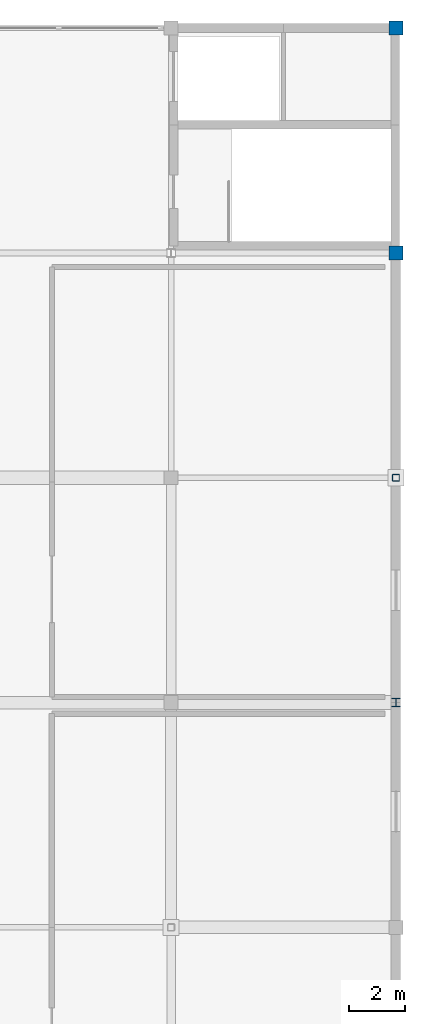
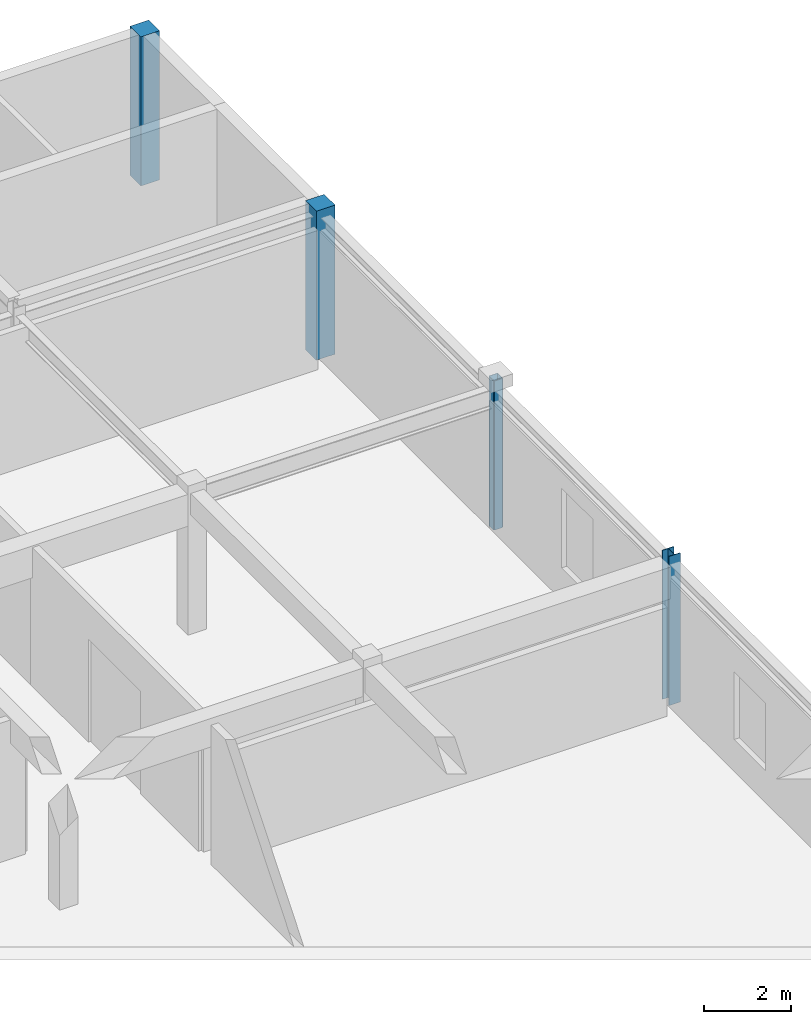
# One storey, part 5 of 19: 4 columns.
"""IFC4 building model written with IfcOpenShell, lengths in metres."""

from ifc_helpers import new_model, si_unit, direction, frame, origin, origin_2d, place, context, subcontext, project, spatial, rectangle, hollow_rectangle, i_section, extrude, material, material_profile, profile_set, type_object, element, save


model = new_model("IFC4")

# Units and contexts
model_context = context("Model", 3, precision=1e-05, world=origin(), true_north=direction((0.0, 1.0)))
body_context = subcontext(model_context, "Body", "Model", "MODEL_VIEW")
ifc_project = project(units=[si_unit("LENGTHUNIT", "METRE"), si_unit("AREAUNIT", "SQUARE_METRE"), si_unit("VOLUMEUNIT", "CUBIC_METRE"), si_unit("PLANEANGLEUNIT", "RADIAN"), si_unit("MASSUNIT", "GRAM", prefix="KILO")], contexts=[model_context])

# Site, building, storey
site_placement = place(None, origin())
site = spatial("IfcSite", under=ifc_project, at=site_placement, CompositionType="ELEMENT")
building_placement = place(site_placement, origin())
building = spatial("IfcBuilding", under=site, at=building_placement, Name="Parian Resonance Hall", CompositionType="ELEMENT")
storey_placement = place(building_placement, frame((0.0, 0.0, 23.39990234375)))
storey = spatial("IfcBuildingStorey", under=building, at=storey_placement, Name="L05", CompositionType="ELEMENT", Elevation=23.39990234375)

# Columns
ifc_material_1 = material(Name="Concrete C40/50", Category="concrete")
ifc_material_profile_1 = material_profile(ifc_material_1, rectangle(XDim=0.5, YDim=0.5, at=origin_2d()), Name="RC-COL-500x500")
ifc_profile_set_1 = profile_set([ifc_material_profile_1], Name="Concrete C40/50")
column_type_1 = type_object("IfcColumnType", Name="COL-RC500", PredefinedType="COLUMN", material=ifc_profile_set_1)
for number, where, z_axis, x_axis, name in (
    (1, (145.800048828125, 81.0, 0.0), (0.0, 0.0, 1.0), (1.0, 0.0, 0.0), "Column G19-11 L05"),
    (2, (145.800048828125, 89.10009765625, 0.0), (0.0, 0.0, 1.0), (1.0, 0.0, 0.0), "Column G19-12 L05"),
):
    element("IfcColumn", number, at=place(storey_placement, frame(where, z_axis=z_axis, x_axis=x_axis)), inside=storey, type_object=column_type_1, Name=name, PredefinedType="COLUMN", context=body_context, shape_type="SweptSolid", body=[
        extrude(rectangle(XDim=0.5, YDim=0.5, at=origin_2d()), origin(), (0.0, 0.0, 1.0), 4.2001953125),
    ])
ifc_material_2 = material(Name="Hollow structural steel S355", Category="steel")
ifc_material_profile_2 = material_profile(ifc_material_2, hollow_rectangle(XDim=0.25, YDim=0.25, WallThickness=0.012451171875, InnerFilletRadius=0.012451171875, OuterFilletRadius=0.02490234375, at=origin_2d()), Name="SHS250x250x12.5")
ifc_profile_set_2 = profile_set([ifc_material_profile_2], Name="Hollow structural steel S355")
column_type_2 = type_object("IfcColumnType", Name="COL-SHS250", PredefinedType="COLUMN", material=ifc_profile_set_2)
column_1_placement = place(storey_placement, frame((145.800048828125, 72.89990234375, 0.0), z_axis=(0.0, 0.0, 1.0), x_axis=(1.0, 0.0, 0.0)))
element("IfcColumn", 3, at=column_1_placement, inside=storey, type_object=column_type_2, Name="Column G19-10 L05", PredefinedType="COLUMN", context=body_context, shape_type="SweptSolid", body=[
    extrude(hollow_rectangle(XDim=0.25, YDim=0.25, WallThickness=0.012451171875, InnerFilletRadius=0.012451171875, OuterFilletRadius=0.02490234375, at=origin_2d()), origin(), (0.0, 0.0, 1.0), 4.2001953125),
])
ifc_material_3 = material(Name="Steel S355", Category="steel")
ifc_material_profile_3 = material_profile(ifc_material_3, i_section(OverallWidth=0.304931640625, OverallDepth=0.30810546875, WebThickness=0.010009765625, FlangeThickness=0.015380859375, FilletRadius=0.01513671875, at=origin_2d()), Name="W310x97")
ifc_profile_set_3 = profile_set([ifc_material_profile_3], Name="Steel S355")
column_type_3 = type_object("IfcColumnType", Name="COL-W310", PredefinedType="COLUMN", material=ifc_profile_set_3)
column_2_placement = place(storey_placement, frame((145.800048828125, 64.800048828125, 0.0), z_axis=(0.0, 0.0, 1.0), x_axis=(1.0, 0.0, 0.0)))
element("IfcColumn", 4, at=column_2_placement, inside=storey, type_object=column_type_3, Name="Column G19-09 L05", PredefinedType="COLUMN", context=body_context, shape_type="SweptSolid", body=[
    extrude(i_section(OverallWidth=0.304931640625, OverallDepth=0.30810546875, WebThickness=0.010009765625, FlangeThickness=0.015380859375, FilletRadius=0.01513671875, at=origin_2d()), origin(), (0.0, 0.0, 1.0), 4.2001953125),
])

save(model, "model.ifc")
